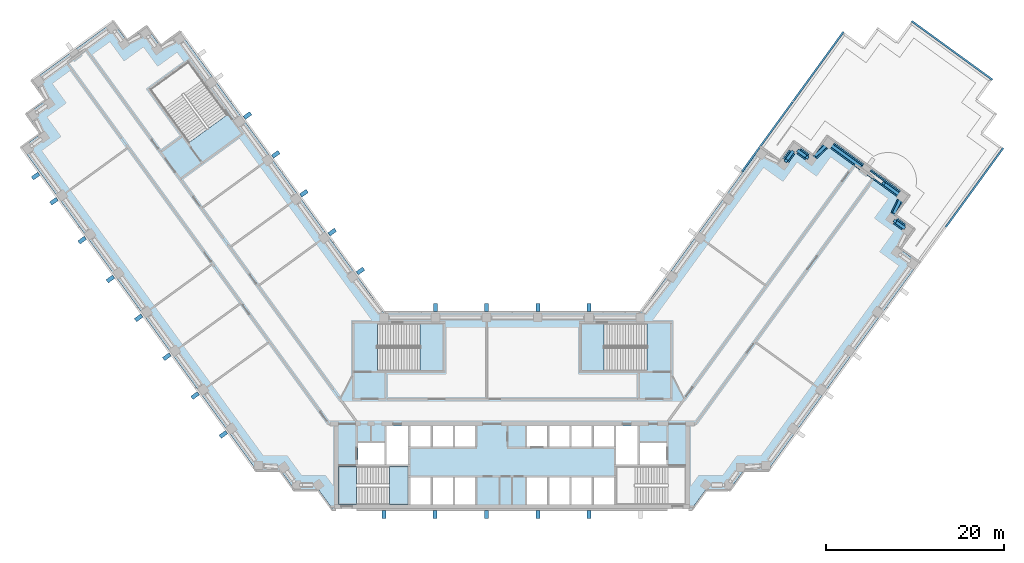
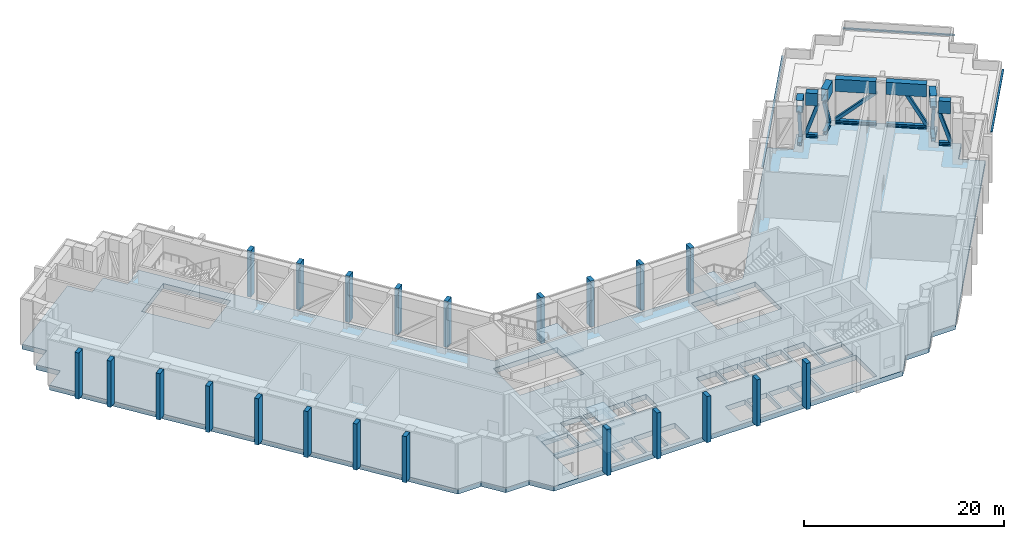
"""IFC4 building model written with IfcOpenShell, lengths in metres."""

from ifc_helpers import new_model, si_unit, direction, frame, origin, origin_2d, place, context, subcontext, project, spatial, polyline, rectangle, hollow_rectangle, i_section, outline, extrude, material, layer, layer_set, material_profile, profile_set, type_object, element, aggregate, save


model = new_model("IFC4")

# Units and contexts
model_context = context("Model", 3, precision=1e-05, world=origin(), true_north=direction((0.0, 1.0)))
body_context = subcontext(model_context, "Body", "Model", "MODEL_VIEW")
ifc_project = project(units=[si_unit("LENGTHUNIT", "METRE"), si_unit("AREAUNIT", "SQUARE_METRE"), si_unit("VOLUMEUNIT", "CUBIC_METRE"), si_unit("PLANEANGLEUNIT", "RADIAN"), si_unit("MASSUNIT", "GRAM", prefix="KILO")], contexts=[model_context])

# Site, building, storey
site_placement = place(None, origin())
site = spatial("IfcSite", under=ifc_project, at=site_placement, CompositionType="ELEMENT")
building_placement = place(site_placement, origin())
building = spatial("IfcBuilding", under=site, at=building_placement, Name="Quipu Civic Tower", CompositionType="ELEMENT")
storey_1_placement = place(building_placement, frame((0.0, 0.0, 79.0)))
storey_1 = spatial("IfcBuildingStorey", under=building, at=storey_1_placement, Name="L18", CompositionType="ELEMENT", Elevation=79.0)

# Beams
ifc_material_1 = material(Name="Steel ASTM A992 Grade 50 (fy 345 MPa)", Category="steel")
ifc_material_profile_1 = material_profile(ifc_material_1, i_section(OverallWidth=0.403564453125, OverallDepth=0.407470703125, WebThickness=0.027099609375, FlangeThickness=0.043701171875, at=origin_2d()), Name="W360x347")
ifc_profile_set_1 = profile_set([ifc_material_profile_1], Name="Steel ASTM A992 Grade 50 (fy 345 MPa)")
beam_type_1 = type_object("IfcBeamType", Name="Belt truss bottom chord W360x347", PredefinedType="BEAM", material=ifc_profile_set_1)
beam_1_placement = place(storey_1_placement, frame((44.01025390625, 20.628662109375, 0.3037109375), z_axis=(-0.809474972997, 0.587154381821, 0.0), x_axis=(-0.587154381821, -0.809474972997, 0.0)))
element("IfcBeam", 1, at=beam_1_placement, inside=storey_1, type_object=beam_type_1, Name="Truss bottom chord L18 T-Eo.2-E34 to T-Eo.3-E34", PredefinedType="BEAM", context=body_context, shape_type="SweptSolid", body=[
    extrude(i_section(OverallWidth=0.403564453125, OverallDepth=0.407470703125, WebThickness=0.027099609375, FlangeThickness=0.043701171875, at=origin_2d()), origin(), (0.0, 0.0, 1.0), 1.19921875),
])
beam_2_placement = place(storey_1_placement, frame((42.853515625, 22.08544921875, 0.3037109375), z_axis=(0.42989519331, 0.902878797386, 0.0), x_axis=(-0.902878797386, 0.42989519331, 0.0)))
element("IfcBeam", 2, at=beam_2_placement, inside=storey_1, type_object=beam_type_1, Name="Truss bottom chord L18 T-Eo.3-E34 to T-Eo.4-E34", PredefinedType="BEAM", context=body_context, shape_type="SweptSolid", body=[
    extrude(i_section(OverallWidth=0.403564453125, OverallDepth=0.407470703125, WebThickness=0.027099609375, FlangeThickness=0.043701171875, at=origin_2d()), origin(), (0.0, 0.0, 1.0), 1.72802734375),
])
beam_3_placement = place(storey_1_placement, frame((43.410400390625, 24.39892578125, 0.3037109375), z_axis=(-0.808952427316, 0.587874110962, 0.0), x_axis=(-0.587874110962, -0.808952427316, 0.0)))
element("IfcBeam", 3, at=beam_3_placement, inside=storey_1, type_object=beam_type_1, Name="Truss bottom chord L18 T-Eo.4-E34 to TIP-E-01-E34", PredefinedType="BEAM", context=body_context, shape_type="SweptSolid", body=[
    extrude(i_section(OverallWidth=0.403564453125, OverallDepth=0.407470703125, WebThickness=0.027099609375, FlangeThickness=0.043701171875, at=origin_2d()), origin(), (0.0, 0.0, 1.0), 4.09814453125),
])
beam_4_placement = place(storey_1_placement, frame((39.2861328125, 27.39599609375, 0.3037109375), z_axis=(-0.808962629417, 0.587860071962, 0.0), x_axis=(-0.587860071962, -0.808962629417, 0.0)))
element("IfcBeam", 4, at=beam_4_placement, inside=storey_1, type_object=beam_type_1, Name="Truss bottom chord L18 TIP-E-01-E34 to T-Ei.0-E34", PredefinedType="BEAM", context=body_context, shape_type="SweptSolid", body=[
    extrude(i_section(OverallWidth=0.403564453125, OverallDepth=0.407470703125, WebThickness=0.027099609375, FlangeThickness=0.043701171875, at=origin_2d()), origin(), (0.0, 0.0, 1.0), 4.099853515625),
])
beam_5_placement = place(storey_1_placement, frame((35.1962890625, 29.749755859375, 0.3037109375), z_axis=(-0.72522859459, -0.688508159421, 0.0), x_axis=(0.688508159421, -0.72522859459, 0.0)))
element("IfcBeam", 5, at=beam_5_placement, inside=storey_1, type_object=beam_type_1, Name="Truss bottom chord L18 T-Ei.0-E34 to T-Ei.1-E34", PredefinedType="BEAM", context=body_context, shape_type="SweptSolid", body=[
    extrude(i_section(OverallWidth=0.403564453125, OverallDepth=0.407470703125, WebThickness=0.027099609375, FlangeThickness=0.043701171875, at=origin_2d()), origin(), (0.0, 0.0, 1.0), 1.728759765625),
])
beam_6_placement = place(storey_1_placement, frame((33.169189453125, 28.503173828125, 0.3037109375), z_axis=(-0.809511134607, 0.587104524721, 0.0), x_axis=(-0.587104524721, -0.809511134607, 0.0)))
element("IfcBeam", 6, at=beam_6_placement, inside=storey_1, type_object=beam_type_1, Name="Truss bottom chord L18 T-Ei.1-E34 to T-Ei.2-E34", PredefinedType="BEAM", context=body_context, shape_type="SweptSolid", body=[
    extrude(i_section(OverallWidth=0.403564453125, OverallDepth=0.407470703125, WebThickness=0.027099609375, FlangeThickness=0.043701171875, at=origin_2d()), origin(), (0.0, 0.0, 1.0), 1.197509765625),
])
beam_7_placement = place(storey_1_placement, frame((31.500244140625, 29.095947265625, 0.3037109375), z_axis=(-0.589199839497, -0.807987344664, 0.0), x_axis=(0.807987344664, -0.589199839497, 0.0)))
element("IfcBeam", 7, at=beam_7_placement, inside=storey_1, type_object=beam_type_1, Name="Truss bottom chord L18 T-Ei.2-E34 to T-Ei.3-E34", PredefinedType="BEAM", context=body_context, shape_type="SweptSolid", body=[
    extrude(i_section(OverallWidth=0.403564453125, OverallDepth=0.407470703125, WebThickness=0.027099609375, FlangeThickness=0.043701171875, at=origin_2d()), origin(), (0.0, 0.0, 1.0), 1.199462890625),
])

# Members
ifc_material_2 = material(Name="Steel ASTM A500 Grade C (fy 345 MPa)", Category="steel")
ifc_material_profile_2 = material_profile(ifc_material_2, hollow_rectangle(XDim=0.355712890625, YDim=0.355712890625, WallThickness=0.015869140625, at=origin_2d()), Name="HSS356x356x16")
ifc_profile_set_2 = profile_set([ifc_material_profile_2], Name="Steel ASTM A500 Grade C (fy 345 MPa)")
member_type_1 = type_object("IfcMemberType", Name="Belt truss diagonal HSS356x356x16", PredefinedType="BRACE", material=ifc_profile_set_2)
member_1_placement = place(storey_1_placement, frame((44.01025390625, 20.628662109375, 0.50732421875), z_axis=(-0.253123959864, 0.183603999056, 0.949851479166), x_axis=(-0.587154381821, -0.809474972997, 0.0)))
element("IfcMember", 8, at=member_1_placement, inside=storey_1, type_object=member_type_1, Name="Truss diagonal L18 T-Eo.2-E34 to T-Eo.3-E34", PredefinedType="BRACE", context=body_context, shape_type="SweptSolid", body=[
    extrude(hollow_rectangle(XDim=0.355712890625, YDim=0.355712890625, WallThickness=0.015869140625, at=origin_2d()), origin(), (0.0, 0.0, 1.0), 3.8349609375),
])
member_2_placement = place(storey_1_placement, frame((42.849853515625, 22.07763671875, 4.14990234375), z_axis=(0.18574274938, 0.390162527577, -0.901816407661), x_axis=(-0.902904467985, 0.429841274999, 0.0)))
element("IfcMember", 9, at=member_2_placement, inside=storey_1, type_object=member_type_1, Name="Truss diagonal L18 T-Eo.3-E34 to T-Eo.4-E34", PredefinedType="BRACE", context=body_context, shape_type="SweptSolid", body=[
    extrude(hollow_rectangle(XDim=0.355712890625, YDim=0.355712890625, WallThickness=0.015869140625, at=origin_2d()), origin(), (0.0, 0.0, 1.0), 4.0390625),
])
member_3_placement = place(storey_1_placement, frame((43.410400390625, 24.39892578125, 0.50732421875), z_axis=(-0.396589680643, 0.288227056163, 0.871574316569), x_axis=(-0.587902443007, -0.808931837368, 0.0)))
element("IfcMember", 10, at=member_3_placement, inside=storey_1, type_object=member_type_1, Name="Truss diagonal L18 T-Eo.4-E34 to TIP-E-01-E34 half 1", PredefinedType="BRACE", context=body_context, shape_type="SweptSolid", body=[
    extrude(hollow_rectangle(XDim=0.355712890625, YDim=0.355712890625, WallThickness=0.015869140625, at=origin_2d()), origin(), (0.0, 0.0, 1.0), 4.17919921875),
])
member_4_placement = place(storey_1_placement, frame((39.2861328125, 27.39599609375, 4.14990234375), z_axis=(-0.6047551297, 0.439465781406, -0.664184507554), x_axis=(-0.587860071962, -0.808962629417, 0.0)))
element("IfcMember", 11, at=member_4_placement, inside=storey_1, type_object=member_type_1, Name="Truss diagonal L18 TIP-E-01-E34 to T-Ei.0-E34", PredefinedType="BRACE", context=body_context, shape_type="SweptSolid", body=[
    extrude(hollow_rectangle(XDim=0.355712890625, YDim=0.355712890625, WallThickness=0.015869140625, at=origin_2d()), origin(), (0.0, 0.0, 1.0), 5.484375),
])
member_5_placement = place(storey_1_placement, frame((35.202392578125, 29.755615234375, 0.50732421875), z_axis=(-0.313393724464, -0.297557821705, 0.901800264032), x_axis=(0.688547267352, -0.725191464802, 0.0)))
element("IfcMember", 12, at=member_5_placement, inside=storey_1, type_object=member_type_1, Name="Truss diagonal L18 T-Ei.0-E34 to T-Ei.1-E34", PredefinedType="BRACE", context=body_context, shape_type="SweptSolid", body=[
    extrude(hollow_rectangle(XDim=0.355712890625, YDim=0.355712890625, WallThickness=0.015869140625, at=origin_2d()), origin(), (0.0, 0.0, 1.0), 4.039306640625),
])
member_6_placement = place(storey_1_placement, frame((33.169189453125, 28.503173828125, 4.14990234375), z_axis=(-0.252837819453, 0.18337268195, -0.949972366213), x_axis=(-0.587104524721, -0.809511134607, 0.0)))
element("IfcMember", 13, at=member_6_placement, inside=storey_1, type_object=member_type_1, Name="Truss diagonal L18 T-Ei.1-E34 to T-Ei.2-E34", PredefinedType="BRACE", context=body_context, shape_type="SweptSolid", body=[
    extrude(hollow_rectangle(XDim=0.355712890625, YDim=0.355712890625, WallThickness=0.015869140625, at=origin_2d()), origin(), (0.0, 0.0, 1.0), 3.83447265625),
])
member_7_placement = place(storey_1_placement, frame((31.500244140625, 29.095947265625, 0.50732421875), z_axis=(-0.184298356108, -0.252733842401, 0.949820888821), x_axis=(0.807987344664, -0.589199839497, 0.0)))
element("IfcMember", 14, at=member_7_placement, inside=storey_1, type_object=member_type_1, Name="Truss diagonal L18 T-Ei.2-E34 to T-Ei.3-E34", PredefinedType="BRACE", context=body_context, shape_type="SweptSolid", body=[
    extrude(hollow_rectangle(XDim=0.355712890625, YDim=0.355712890625, WallThickness=0.015869140625, at=origin_2d()), origin(), (0.0, 0.0, 1.0), 3.8349609375),
])

# Beams
ifc_material_3 = material(Name="Steel ASTM A572 Grade 50 (fy 345 MPa)", Category="steel")
ifc_material_profile_3 = material_profile(ifc_material_3, hollow_rectangle(XDim=0.699951171875, YDim=1.5, WallThickness=0.050048828125, at=origin_2d()), Name="BX1500x700x50")
ifc_profile_set_3 = profile_set([ifc_material_profile_3], Name="Steel ASTM A572 Grade 50 (fy 345 MPa)")
beam_type_2 = type_object("IfcBeamType", Name="Belt truss top chord BX1500x700x50", PredefinedType="BEAM", material=ifc_profile_set_3)
beam_8_placement = place(storey_1_placement, frame((44.01025390625, 20.628662109375, 4.89990234375), z_axis=(-0.809474972997, 0.587154381821, 0.0), x_axis=(-0.587154381821, -0.809474972997, 0.0)))
element("IfcBeam", 15, at=beam_8_placement, inside=storey_1, type_object=beam_type_2, Name="Truss top chord L18 T-Eo.2-E34 to T-Eo.3-E34", PredefinedType="BEAM", context=body_context, shape_type="SweptSolid", body=[
    extrude(hollow_rectangle(XDim=0.699951171875, YDim=1.5, WallThickness=0.050048828125, at=origin_2d()), origin(), (0.0, 0.0, 1.0), 1.19921875),
])
beam_9_placement = place(storey_1_placement, frame((42.853515625, 22.08544921875, 4.89990234375), z_axis=(0.42989519331, 0.902878797386, 0.0), x_axis=(-0.902878797386, 0.42989519331, 0.0)))
element("IfcBeam", 16, at=beam_9_placement, inside=storey_1, type_object=beam_type_2, Name="Truss top chord L18 T-Eo.3-E34 to T-Eo.4-E34", PredefinedType="BEAM", context=body_context, shape_type="SweptSolid", body=[
    extrude(hollow_rectangle(XDim=0.699951171875, YDim=1.5, WallThickness=0.050048828125, at=origin_2d()), origin(), (0.0, 0.0, 1.0), 1.72802734375),
])
beam_10_placement = place(storey_1_placement, frame((43.410400390625, 24.39892578125, 4.89990234375), z_axis=(-0.808952427316, 0.587874110962, 0.0), x_axis=(-0.587874110962, -0.808952427316, 0.0)))
element("IfcBeam", 17, at=beam_10_placement, inside=storey_1, type_object=beam_type_2, Name="Truss top chord L18 T-Eo.4-E34 to TIP-E-01-E34", PredefinedType="BEAM", context=body_context, shape_type="SweptSolid", body=[
    extrude(hollow_rectangle(XDim=0.699951171875, YDim=1.5, WallThickness=0.050048828125, at=origin_2d()), origin(), (0.0, 0.0, 1.0), 4.09814453125),
])
beam_11_placement = place(storey_1_placement, frame((39.2861328125, 27.39599609375, 4.89990234375), z_axis=(-0.808962629417, 0.587860071962, 0.0), x_axis=(-0.587860071962, -0.808962629417, 0.0)))
element("IfcBeam", 18, at=beam_11_placement, inside=storey_1, type_object=beam_type_2, Name="Truss top chord L18 TIP-E-01-E34 to T-Ei.0-E34", PredefinedType="BEAM", context=body_context, shape_type="SweptSolid", body=[
    extrude(hollow_rectangle(XDim=0.699951171875, YDim=1.5, WallThickness=0.050048828125, at=origin_2d()), origin(), (0.0, 0.0, 1.0), 4.099853515625),
])
beam_12_placement = place(storey_1_placement, frame((35.1962890625, 29.749755859375, 4.89990234375), z_axis=(-0.72522859459, -0.688508159421, 0.0), x_axis=(0.688508159421, -0.72522859459, 0.0)))
element("IfcBeam", 19, at=beam_12_placement, inside=storey_1, type_object=beam_type_2, Name="Truss top chord L18 T-Ei.0-E34 to T-Ei.1-E34", PredefinedType="BEAM", context=body_context, shape_type="SweptSolid", body=[
    extrude(hollow_rectangle(XDim=0.699951171875, YDim=1.5, WallThickness=0.050048828125, at=origin_2d()), origin(), (0.0, 0.0, 1.0), 1.728759765625),
])
beam_13_placement = place(storey_1_placement, frame((33.169189453125, 28.503173828125, 4.89990234375), z_axis=(-0.809511134607, 0.587104524721, 0.0), x_axis=(-0.587104524721, -0.809511134607, 0.0)))
element("IfcBeam", 20, at=beam_13_placement, inside=storey_1, type_object=beam_type_2, Name="Truss top chord L18 T-Ei.1-E34 to T-Ei.2-E34", PredefinedType="BEAM", context=body_context, shape_type="SweptSolid", body=[
    extrude(hollow_rectangle(XDim=0.699951171875, YDim=1.5, WallThickness=0.050048828125, at=origin_2d()), origin(), (0.0, 0.0, 1.0), 1.197509765625),
])
beam_14_placement = place(storey_1_placement, frame((31.500244140625, 29.095947265625, 4.89990234375), z_axis=(-0.589199839497, -0.807987344664, 0.0), x_axis=(0.807987344664, -0.589199839497, 0.0)))
element("IfcBeam", 21, at=beam_14_placement, inside=storey_1, type_object=beam_type_2, Name="Truss top chord L18 T-Ei.2-E34 to T-Ei.3-E34", PredefinedType="BEAM", context=body_context, shape_type="SweptSolid", body=[
    extrude(hollow_rectangle(XDim=0.699951171875, YDim=1.5, WallThickness=0.050048828125, at=origin_2d()), origin(), (0.0, 0.0, 1.0), 1.199462890625),
])

# Storey
storey_2_placement = place(building_placement, frame((0.0, 0.0, 71.0)))
storey_2 = spatial("IfcBuildingStorey", under=building, at=storey_2_placement, Name="L16", CompositionType="ELEMENT", Elevation=71.0)

# Curtain wall, member
ifc_material_4 = material(Name="Insulated glass unit", Category="glass")
curtain_wall_type = type_object("IfcCurtainWallType", Name="Office curtain wall CW1", PredefinedType="NOTDEFINED", material=ifc_material_4)
curtain_wall_1_placement = place(storey_2_placement, origin())
curtain_wall_1 = element("IfcCurtainWall", 22, at=curtain_wall_1_placement, inside=storey_2, type_object=curtain_wall_type, Name="Office curtain wall CW1 L15 run 20", PredefinedType="NOTDEFINED")
ifc_material_5 = material(Name="Anodised aluminium", Category="aluminium")
ifc_material_profile_4 = material_profile(ifc_material_5, rectangle(XDim=0.199951171875, YDim=0.159912109375, at=origin_2d()), Name="RECT 200x160")
ifc_profile_set_4 = profile_set([ifc_material_profile_4], Name="Anodised aluminium")
member_type_2 = type_object("IfcMemberType", Name="Transom CW1", PredefinedType="USERDEFINED", material=ifc_profile_set_4)
member_8_placement = place(storey_1_placement, frame((48.72802734375, 20.65625, 0.0), z_axis=(0.587779179422, 0.809021406539, 0.0), x_axis=(-0.809021406539, 0.587779179422, 0.0)))
member_8 = element("IfcMember", 23, at=member_8_placement, inside=storey_1, type_object=member_type_2, Name="CW1 transom 4.4", ObjectType="TRANSOM", PredefinedType="USERDEFINED", context=body_context, shape_type="SweptSolid", body=[
    extrude(rectangle(XDim=0.199951171875, YDim=0.159912109375, at=origin_2d()), origin(), (0.0, 0.0, 1.0), 11.02294921875),
])
aggregate(curtain_wall_1, [member_8])

curtain_wall_2_placement = place(storey_2_placement, origin())
curtain_wall_2 = element("IfcCurtainWall", 24, at=curtain_wall_2_placement, inside=storey_2, type_object=curtain_wall_type, Name="Office curtain wall CW1 L15 run 25", PredefinedType="NOTDEFINED")
member_9_placement = place(storey_1_placement, frame((53.994873046875, 37.228515625, 0.0), z_axis=(-0.809032792449, 0.587763507495, 0.0), x_axis=(-0.587763507495, -0.809032792449, 0.0)))
member_9 = element("IfcMember", 25, at=member_9_placement, inside=storey_1, type_object=member_type_2, Name="CW1 transom 1.4", ObjectType="TRANSOM", PredefinedType="USERDEFINED", context=body_context, shape_type="SweptSolid", body=[
    extrude(rectangle(XDim=0.199951171875, YDim=0.159912109375, at=origin_2d()), origin(), (0.0, 0.0, 1.0), 11.239990234375),
])
aggregate(curtain_wall_2, [member_9])

# Curtain wall, members
curtain_wall_3_placement = place(storey_2_placement, origin())
curtain_wall_3 = element("IfcCurtainWall", 26, at=curtain_wall_3_placement, inside=storey_2, type_object=curtain_wall_type, Name="Office curtain wall CW1 L15 run 30", PredefinedType="NOTDEFINED")
member_10_placement = place(storey_1_placement, frame((37.246826171875, 42.622802734375, 0.0), z_axis=(-0.587775627857, -0.809023986849, 0.0), x_axis=(0.809023986849, -0.587775627857, 0.0)))
member_10 = element("IfcMember", 27, at=member_10_placement, inside=storey_1, type_object=member_type_2, Name="CW1 transom 1.4", ObjectType="TRANSOM", PredefinedType="USERDEFINED", context=body_context, shape_type="SweptSolid", body=[
    extrude(rectangle(XDim=0.199951171875, YDim=0.159912109375, at=origin_2d()), origin(), (0.0, 0.0, 1.0), 9.64111328125),
])
member_11_placement = place(storey_1_placement, frame((31.532958984375, 34.75830078125, 0.0), z_axis=(-0.58778177227, -0.809019522748, 0.0), x_axis=(0.809019522748, -0.58778177227, 0.0)))
member_11 = element("IfcMember", 28, at=member_11_placement, inside=storey_1, type_object=member_type_2, Name="CW1 transom 2.4", ObjectType="TRANSOM", PredefinedType="USERDEFINED", context=body_context, shape_type="SweptSolid", body=[
    extrude(rectangle(XDim=0.199951171875, YDim=0.159912109375, at=origin_2d()), origin(), (0.0, 0.0, 1.0), 9.68115234375),
])
aggregate(curtain_wall_3, [member_10, member_11])

# Slab
ifc_material_6 = material(Name="Concrete C40/50", Category="concrete")
ifc_layer_1 = layer(ifc_material_6, 0.60009765625)
ifc_layer_set_1 = layer_set([ifc_layer_1], Name="Concrete C40/50")
slab_type_1 = type_object("IfcSlabType", Name="Floor slab 600 C40/50", PredefinedType="FLOOR", material=ifc_layer_set_1)
slab_1_placement = place(storey_1_placement, frame((0.0, 0.0, -0.60009765625)))
element("IfcSlab", 29, at=slab_1_placement, inside=storey_1, type_object=slab_type_1, Name="Floor slab L18", PredefinedType="FLOOR", context=body_context, shape_type="SweptSolid", body=[
    extrude(outline(polyline([(27.909912109375, 29.60498046875), (30.094970703125, 28.014892578125), (31.68505859375, 30.199951171875), (33.864990234375, 28.614990234375), (35.455078125, 30.800048828125), (44.514892578125, 24.215087890625), (42.929931640625, 22.030029296875), (45.114990234375, 20.445068359375), (43.52490234375, 18.260009765625), (45.7099609375, 16.669921875), (28.780029296875, -6.6298828125), (26.080078125, -6.6298828125), (24.489990234375, -8.81494140625), (21.7900390625, -8.81494140625), (20.205078125, -11.0), (-20.205078125, -11.0), (-21.7900390625, -8.81494140625), (-24.489990234375, -8.81494140625), (-26.080078125, -6.6298828125), (-28.780029296875, -6.6298828125), (-55.114990234375, 29.614990234375), (-52.929931640625, 31.205078125), (-54.514892578125, 33.389892578125), (-52.3349609375, 34.97509765625), (-53.919921875, 37.159912109375), (-44.860107421875, 43.739990234375), (-43.27001953125, 41.56005859375), (-41.0849609375, 43.14501953125), (-39.5, 40.9599609375), (-37.31494140625, 42.550048828125), (-14.39501953125, 11.0), (14.39501953125, 11.0), (27.909912109375, 29.60498046875)]), holes=[polyline([(-11.449951171875, -7.5), (-11.449951171875, -10.5), (-9.14990234375, -10.5), (-9.14990234375, -7.5), (-11.449951171875, -7.5)]), polyline([(-8.949951171875, -7.5), (-8.949951171875, -10.5), (-6.64990234375, -10.5), (-6.64990234375, -7.5), (-8.949951171875, -7.5)]), polyline([(-6.449951171875, -7.5), (-6.449951171875, -10.5), (-4.14990234375, -10.5), (-4.14990234375, -7.5), (-6.449951171875, -7.5)]), polyline([(-11.705078125, -10.4951171875), (-11.705078125, -6.2548828125), (-17.4951171875, -6.2548828125), (-17.4951171875, -10.4951171875), (-11.705078125, -10.4951171875)]), polyline([(-14.35009765625, -3.60009765625), (-17.35009765625, -3.60009765625), (-17.35009765625, -6.0), (-14.35009765625, -6.0), (-14.35009765625, -3.60009765625)]), polyline([(-14.10009765625, -1.699951171875), (-14.10009765625, -6.0), (-11.699951171875, -6.0), (-11.699951171875, -1.699951171875), (-14.10009765625, -1.699951171875)]), polyline([(-9.14990234375, -1.699951171875), (-11.449951171875, -1.699951171875), (-11.449951171875, -4.0), (-9.14990234375, -4.0), (-9.14990234375, -1.699951171875)]), polyline([(-6.64990234375, -1.699951171875), (-8.949951171875, -1.699951171875), (-8.949951171875, -4.0), (-6.64990234375, -4.0), (-6.64990234375, -1.699951171875)]), polyline([(-6.449951171875, -1.699951171875), (-6.449951171875, -4.0), (-4.14990234375, -4.0), (-4.14990234375, -1.699951171875), (-6.449951171875, -1.699951171875)]), polyline([(3.949951171875, -1.699951171875), (1.64990234375, -1.699951171875), (1.64990234375, -4.0), (3.949951171875, -4.0), (3.949951171875, -1.699951171875)]), polyline([(-7.7548828125, 4.5048828125), (-7.7548828125, 9.844970703125), (-15.14501953125, 9.844970703125), (-15.14501953125, 4.5048828125), (-7.7548828125, 4.5048828125)]), polyline([(-40.68505859375, 36.135009765625), (-36.344970703125, 30.159912109375), (-32.02490234375, 33.300048828125), (-36.364990234375, 39.27490234375), (-40.68505859375, 36.135009765625)]), polyline([(3.949951171875, -7.5), (1.64990234375, -7.5), (1.64990234375, -10.5), (3.949951171875, -10.5), (3.949951171875, -7.5)]), polyline([(6.449951171875, -7.5), (4.14990234375, -7.5), (4.14990234375, -10.5), (6.449951171875, -10.5), (6.449951171875, -7.5)]), polyline([(6.64990234375, -7.5), (6.64990234375, -10.5), (8.949951171875, -10.5), (8.949951171875, -7.5), (6.64990234375, -7.5)]), polyline([(11.449951171875, -7.5), (9.14990234375, -7.5), (9.14990234375, -10.5), (11.449951171875, -10.5), (11.449951171875, -7.5)]), polyline([(11.705078125, -6.2548828125), (11.705078125, -10.4951171875), (17.4951171875, -10.4951171875), (17.4951171875, -6.2548828125), (11.705078125, -6.2548828125)]), polyline([(14.35009765625, -3.60009765625), (14.35009765625, -6.0), (17.35009765625, -6.0), (17.35009765625, -3.60009765625), (14.35009765625, -3.60009765625)]), polyline([(14.10009765625, -1.699951171875), (11.699951171875, -1.699951171875), (11.699951171875, -6.0), (14.10009765625, -6.0), (14.10009765625, -1.699951171875)]), polyline([(6.449951171875, -1.699951171875), (4.14990234375, -1.699951171875), (4.14990234375, -4.0), (6.449951171875, -4.0), (6.449951171875, -1.699951171875)]), polyline([(6.64990234375, -1.699951171875), (6.64990234375, -4.0), (8.949951171875, -4.0), (8.949951171875, -1.699951171875), (6.64990234375, -1.699951171875)]), polyline([(11.449951171875, -1.699951171875), (9.14990234375, -1.699951171875), (9.14990234375, -4.0), (11.449951171875, -4.0), (11.449951171875, -1.699951171875)]), polyline([(7.7548828125, 9.844970703125), (7.7548828125, 4.5048828125), (15.14501953125, 4.5048828125), (15.14501953125, 9.844970703125), (7.7548828125, 9.844970703125)])]), origin(), (0.0, 0.0, 1.0), 0.60009765625),
])

# Plates
ifc_material_7 = material(Name="Precast concrete C40/50", Category="concrete")
plate_type = type_object("IfcPlateType", Name="Precast fin F1", PredefinedType="SHEET", material=ifc_material_7)
for number, where, z_axis, x_axis, name in (
    (30, (-17.052978515625, 15.74365234375, 0.0), (0.0, 0.0, 1.0), (-0.587784944053, 0.809017218324, 0.0), "Precast fin F1 L18.1.1"),
    (31, (-20.22705078125, 20.1123046875, 0.0), (0.0, 0.0, 1.0), (-0.587784944053, 0.809017218324, 0.0), "Precast fin F1 L18.1.2"),
    (32, (-23.401123046875, 24.481201171875, 0.0), (0.0, 0.0, 1.0), (-0.587784944053, 0.809017218324, 0.0), "Precast fin F1 L18.1.3"),
    (33, (-26.5751953125, 28.849853515625, 0.0), (0.0, 0.0, 1.0), (-0.587784944053, 0.809017218324, 0.0), "Precast fin F1 L18.1.4"),
    (34, (-29.749267578125, 33.218505859375, 0.0), (0.0, 0.0, 1.0), (-0.587784944053, 0.809017218324, 0.0), "Precast fin F1 L18.1.5"),
    (35, (-53.57177734375, 26.407958984375, 0.0), (0.0, 0.0, 1.0), (0.587785716149, -0.809016657363, 0.0), "Precast fin F1 L18.11.1"),
    (36, (-51.51318359375, 23.57421875, 0.0), (0.0, 0.0, 1.0), (0.587785716149, -0.809016657363, 0.0), "Precast fin F1 L18.11.2"),
    (37, (-48.339111328125, 19.20556640625, 0.0), (0.0, 0.0, 1.0), (0.587785716149, -0.809016657363, 0.0), "Precast fin F1 L18.11.3"),
    (38, (-45.1650390625, 14.8369140625, 0.0), (0.0, 0.0, 1.0), (0.587785716149, -0.809016657363, 0.0), "Precast fin F1 L18.11.4"),
    (39, (-41.990966796875, 10.46826171875, 0.0), (0.0, 0.0, 1.0), (0.587785716149, -0.809016657363, 0.0), "Precast fin F1 L18.11.5"),
    (40, (-38.81689453125, 6.099609375, 0.0), (0.0, 0.0, 1.0), (0.587785716149, -0.809016657363, 0.0), "Precast fin F1 L18.11.6"),
    (41, (-35.642822265625, 1.73095703125, 0.0), (0.0, 0.0, 1.0), (0.587785716149, -0.809016657363, 0.0), "Precast fin F1 L18.11.7"),
    (42, (-32.46875, -2.6376953125, 0.0), (0.0, 0.0, 1.0), (0.587785716149, -0.809016657363, 0.0), "Precast fin F1 L18.11.8"),
    (43, (-14.431884765625, -11.637939453125, 0.0), (0.0, 0.0, 1.0), (1.0, 0.0, 0.0), "Precast fin F1 L18.19.1"),
    (44, (-8.658935546875, -11.637939453125, 0.0), (0.0, 0.0, 1.0), (1.0, 0.0, 0.0), "Precast fin F1 L18.19.2"),
    (45, (-2.885986328125, -11.637939453125, 0.0), (0.0, 0.0, 1.0), (1.0, 0.0, 0.0), "Precast fin F1 L18.19.3"),
    (46, (2.885986328125, -11.637939453125, 0.0), (0.0, 0.0, 1.0), (1.0, 0.0, 0.0), "Precast fin F1 L18.19.4"),
    (47, (8.658935546875, -11.637939453125, 0.0), (0.0, 0.0, 1.0), (1.0, 0.0, 0.0), "Precast fin F1 L18.19.5"),
    (48, (8.63720703125, 11.637939453125, 0.0), (0.0, 0.0, 1.0), (-1.0, 0.0, 0.0), "Precast fin F1 L18.40.1"),
    (49, (2.879150390625, 11.637939453125, 0.0), (0.0, 0.0, 1.0), (-1.0, 0.0, 0.0), "Precast fin F1 L18.40.2"),
    (50, (-2.87890625, 11.637939453125, 0.0), (0.0, 0.0, 1.0), (-1.0, 0.0, 0.0), "Precast fin F1 L18.40.3"),
    (51, (-8.63671875, 11.637939453125, 0.0), (0.0, 0.0, 1.0), (-1.0, 0.0, 0.0), "Precast fin F1 L18.40.4"),
):
    element("IfcPlate", number, at=place(storey_1_placement, frame(where, z_axis=z_axis, x_axis=x_axis)), inside=storey_1, type_object=plate_type, Name=name, PredefinedType="SHEET", context=body_context, shape_type="SweptSolid", body=[
        extrude(rectangle(XDim=0.449951171875, YDim=0.89990234375, at=origin_2d()), origin(), (0.0, 0.0, 1.0), 5.64990234375),
    ])

# Stair, slabs
ifc_material_8 = material(Name="Concrete C40/50", Category="concrete")
stair_type_1 = type_object("IfcStairType", Name="Half turn stair 2000", PredefinedType="HALF_TURN_STAIR", material=ifc_material_8)
stair_1_placement = place(storey_1_placement, origin())
stair_1 = element("IfcStair", 52, at=stair_1_placement, inside=storey_1, type_object=stair_type_1, Name="Exit stair 1", PredefinedType="HALF_TURN_STAIR")
ifc_material_9 = material(Name="Concrete C40/50", Category="concrete")
ifc_layer_2 = layer(ifc_material_9, 0.199951171875)
ifc_layer_set_2 = layer_set([ifc_layer_2], Name="Concrete C40/50")
slab_type_2 = type_object("IfcSlabType", Name="Stair landing 200", PredefinedType="LANDING", material=ifc_layer_set_2)
slab_2_placement = place(storey_1_placement, frame((0.0, 0.0, 1.300048828125)))
slab_2 = element("IfcSlab", 53, at=slab_2_placement, type_object=slab_type_2, Name="ST-1 landing 1", PredefinedType="LANDING", context=body_context, shape_type="SweptSolid", body=[
    extrude(outline(polyline([(-13.780029296875, -10.5), (-11.699951171875, -10.5), (-11.699951171875, -6.25), (-13.780029296875, -6.25), (-13.780029296875, -10.5)])), origin(), (0.0, 0.0, 1.0), 0.199951171875),
])
slab_3_placement = place(storey_1_placement, frame((0.0, 0.0, 2.800048828125)))
slab_3 = element("IfcSlab", 54, at=slab_3_placement, type_object=slab_type_2, Name="ST-1 landing 2", PredefinedType="LANDING", context=body_context, shape_type="SweptSolid", body=[
    extrude(outline(polyline([(-19.5, -10.5), (-17.5, -10.5), (-17.5, -6.25), (-19.5, -6.25), (-19.5, -10.5)])), origin(), (0.0, 0.0, 1.0), 0.199951171875),
])
slab_4_placement = place(storey_1_placement, frame((0.0, 0.0, 4.300048828125)))
slab_4 = element("IfcSlab", 55, at=slab_4_placement, type_object=slab_type_2, Name="ST-1 landing 3", PredefinedType="LANDING", context=body_context, shape_type="SweptSolid", body=[
    extrude(outline(polyline([(-13.780029296875, -10.5), (-11.699951171875, -10.5), (-11.699951171875, -6.25), (-13.780029296875, -6.25), (-13.780029296875, -10.5)])), origin(), (0.0, 0.0, 1.0), 0.199951171875),
])
aggregate(stair_1, [slab_2, slab_3, slab_4])

# Stair, slab
ifc_material_10 = material(Name="Concrete C40/50", Category="concrete")
stair_type_2 = type_object("IfcStairType", Name="Half turn stair 2600", PredefinedType="HALF_TURN_STAIR", material=ifc_material_10)
stair_2_placement = place(storey_1_placement, origin())
stair_2 = element("IfcStair", 56, at=stair_2_placement, inside=storey_1, type_object=stair_type_2, Name="Exit stair 3", PredefinedType="HALF_TURN_STAIR")
slab_5_placement = place(storey_1_placement, frame((0.0, 0.0, 2.800048828125)))
slab_5 = element("IfcSlab", 57, at=slab_5_placement, type_object=slab_type_2, Name="ST-3 landing 1", PredefinedType="LANDING", context=body_context, shape_type="SweptSolid", body=[
    extrude(outline(polyline([(-10.35009765625, 4.5), (-7.75, 4.5), (-7.75, 9.85009765625), (-10.35009765625, 9.85009765625), (-10.35009765625, 4.5)])), origin(), (0.0, 0.0, 1.0), 0.199951171875),
])
aggregate(stair_2, [slab_5])

stair_3_placement = place(storey_1_placement, origin())
stair_3 = element("IfcStair", 58, at=stair_3_placement, inside=storey_1, type_object=stair_type_2, Name="Exit stair 4", PredefinedType="HALF_TURN_STAIR")
slab_6_placement = place(storey_1_placement, frame((0.0, 0.0, 2.800048828125)))
slab_6 = element("IfcSlab", 59, at=slab_6_placement, type_object=slab_type_2, Name="ST-4 landing 1", PredefinedType="LANDING", context=body_context, shape_type="SweptSolid", body=[
    extrude(outline(polyline([(10.35009765625, 9.85009765625), (7.75, 9.85009765625), (7.75, 4.5), (10.35009765625, 4.5), (10.35009765625, 9.85009765625)])), origin(), (0.0, 0.0, 1.0), 0.199951171875),
])
aggregate(stair_3, [slab_6])

save(model, "model.ifc")
